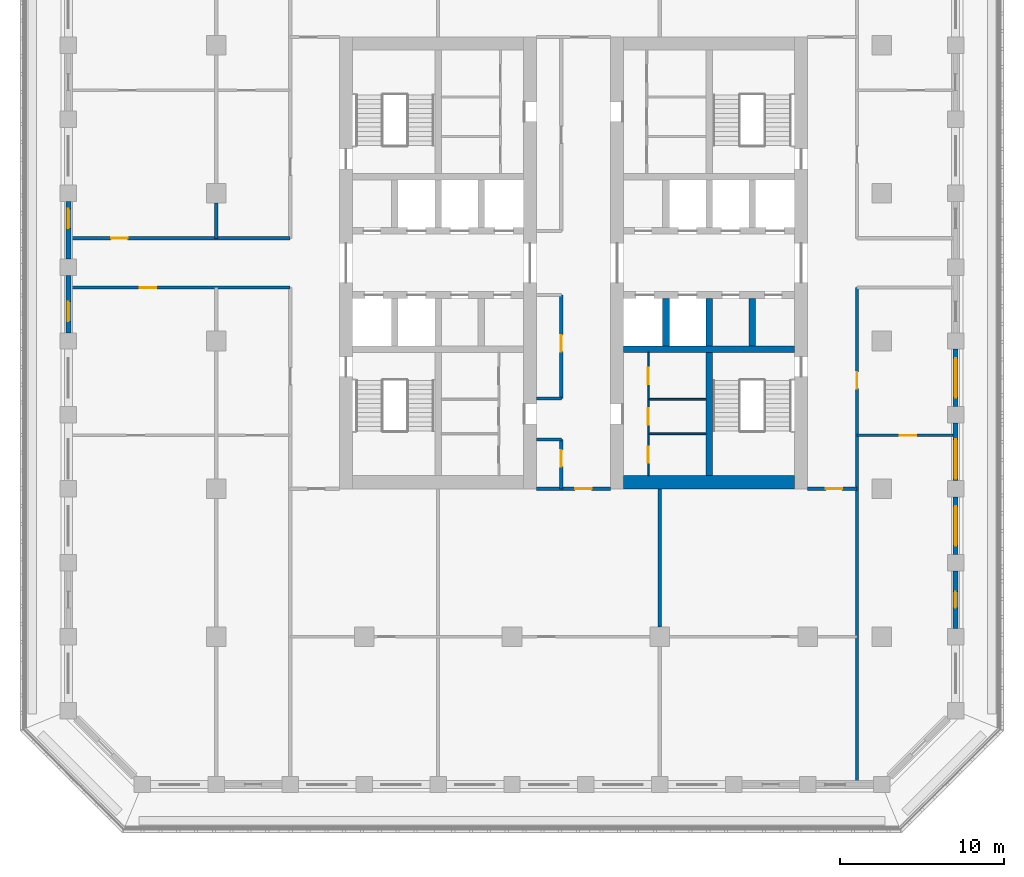
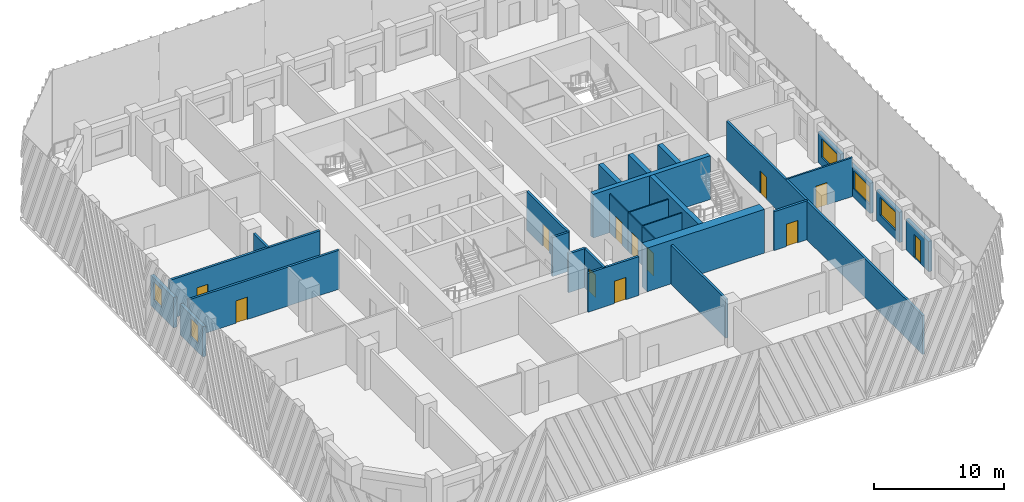
# One storey, part 4 of 16: 29 walls, 12 doors, 5 windows, 17 openings.
"""IFC4 building model written with IfcOpenShell, lengths in metres."""

import ifcopenshell
import ifcopenshell.guid

model = None  # the IFC model being written
_history = None  # IfcOwnerHistory: only IFC2X3 demands one
_inside = {}  # id of a spatial element -> (the spatial element, [elements in it])
_under = {}  # id of a project, library or spatial element -> (it, [spatial elements below it])
_declared = {}  # id of a project -> (the project, [libraries it declares])
_typed = {}  # id of a type object -> (the type object, [elements of that type])
_made_of = {}  # id of a material, layer set ... -> (it, [elements and type objects made of it])


def new_model(schema):
    """Start an empty IFC model of exactly this schema.

    Asked for "IFC4X3", IfcOpenShell would pick the latest addendum, in which some entities
    have other attributes; the version numbers below select the first issue.
    IFC2X3 requires an IfcOwnerHistory on every rooted entity: one is made here for all.
    """
    global model, _history
    if schema == "IFC4X3":
        model = ifcopenshell.file(schema_version=(4, 3, 0, 0))
    else:
        model = ifcopenshell.file(schema=schema)
    _inside.clear()
    _under.clear()
    _declared.clear()
    _typed.clear()
    _made_of.clear()
    _history = None
    if model.schema == "IFC2X3":
        org = make("IfcOrganization", Name="unknown")
        user = make(
            "IfcPersonAndOrganization",
            ThePerson=make("IfcPerson", FamilyName="unknown"),
            TheOrganization=org,
        )
        app = make(
            "IfcApplication",
            ApplicationDeveloper=org,
            Version="unknown",
            ApplicationFullName="unknown",
            ApplicationIdentifier="unknown",
        )
        _history = make(
            "IfcOwnerHistory",
            OwningUser=user,
            OwningApplication=app,
            ChangeAction="ADDED",
            CreationDate=0,
        )
    return model


def make(cls, **values):
    """One entity of the class cls with the attributes given. An attribute that is None is left unset."""
    return model.create_entity(
        cls, **{name: value for name, value in values.items() if value is not None}
    )


def rooted(cls, **values):
    """An entity with a GlobalId (a new one), such as an element, a storey or a relation."""
    return make(cls, GlobalId=ifcopenshell.guid.new(), OwnerHistory=_history, **values)


def si_unit(unit_type, name, prefix=None):
    """IfcSIUnit, for example si_unit("LENGTHUNIT", "METRE", prefix="MILLI")."""
    return make("IfcSIUnit", UnitType=unit_type, Prefix=prefix, Name=name)


def assignment(units):
    """IfcUnitAssignment: the units of a project."""
    return None if units is None else make("IfcUnitAssignment", Units=units)


def point(xyz):
    """IfcCartesianPoint."""
    return None if xyz is None else make("IfcCartesianPoint", Coordinates=xyz)


def direction(xyz):
    """IfcDirection."""
    return None if xyz is None else make("IfcDirection", DirectionRatios=xyz)


def frame(location, z_axis=None, x_axis=None):
    """IfcAxis2Placement3D, a coordinate frame: its origin and axes. An axis left out is left unset."""
    return make(
        "IfcAxis2Placement3D",
        Location=point(location),
        Axis=direction(z_axis),
        RefDirection=direction(x_axis),
    )


def frame_2d(location, x_axis=None):
    """IfcAxis2Placement2D, a coordinate frame in the plane: its origin and x axis."""
    return make(
        "IfcAxis2Placement2D", Location=point(location), RefDirection=direction(x_axis)
    )


def origin():
    """The frame at (0, 0, 0) with its axes left unset."""
    return frame((0.0, 0.0, 0.0))


def place(relative_to, where):
    """IfcLocalPlacement: puts the frame where relative to a parent placement (None: the world)."""
    return make(
        "IfcLocalPlacement", PlacementRelTo=relative_to, RelativePlacement=where
    )


def context(
    kind, dimensions, precision=None, world=None, true_north=None, identifier=None
):
    """IfcGeometricRepresentationContext, for example the 3D "Model" context."""
    return make(
        "IfcGeometricRepresentationContext",
        ContextIdentifier=identifier,
        ContextType=kind,
        CoordinateSpaceDimension=dimensions,
        Precision=precision,
        WorldCoordinateSystem=world,
        TrueNorth=true_north,
    )


def subcontext(parent, identifier, kind, view, scale=None):
    """IfcGeometricRepresentationSubContext, for example "Body" below "Model"."""
    return make(
        "IfcGeometricRepresentationSubContext",
        ContextIdentifier=identifier,
        ContextType=kind,
        ParentContext=parent,
        TargetScale=scale,
        TargetView=view,
    )


def project(units=None, contexts=None):
    """IfcProject with its units and contexts."""
    return rooted(
        "IfcProject",
        Name="project",
        RepresentationContexts=contexts,
        UnitsInContext=assignment(units),
    )


def spatial(cls, under=None, at=None, **own):
    """A site, building, storey or space (cls), placed at a placement, below another one or the project."""
    s = rooted(cls, ObjectPlacement=at, **own)
    if under is not None:
        _under.setdefault(under.id(), (under, []))[1].append(s)
    return s


def profile(cls, at=None, kind="AREA", **sizes):
    """A parametric profile (cls). Its sizes go by their IFC names, for example OverallWidth=200.0."""
    return make(cls, ProfileType=kind, Position=at, **sizes)


def rectangle(**sizes):
    """IfcRectangleProfileDef."""
    return profile("IfcRectangleProfileDef", **sizes)


def extrude(swept, where, along, depth):
    """IfcExtrudedAreaSolid: the profile swept, set in the frame where, extruded along a direction by depth."""
    return make(
        "IfcExtrudedAreaSolid",
        SweptArea=swept,
        Position=where,
        ExtrudedDirection=direction(along),
        Depth=depth,
    )


def shape(context_of_items, identifier, shape_type, items):
    """IfcShapeRepresentation: the items that make up one representation, for example the "Body"."""
    return make(
        "IfcShapeRepresentation",
        ContextOfItems=context_of_items,
        RepresentationIdentifier=identifier,
        RepresentationType=shape_type,
        Items=items,
    )


def material(Name=None, Category=None):
    """IfcMaterial."""
    return make("IfcMaterial", Name=Name, Category=Category)


def layer(
    of_material, thickness, ventilated=None, Name=None, Category=None, Priority=None
):
    """IfcMaterialLayer: one layer of a wall or slab, of a material (None: an air gap)."""
    return make(
        "IfcMaterialLayer",
        Material=of_material,
        LayerThickness=thickness,
        IsVentilated=ventilated,
        Name=Name,
        Category=Category,
        Priority=Priority,
    )


def layer_set(layers, Name=None):
    """IfcMaterialLayerSet."""
    return make("IfcMaterialLayerSet", MaterialLayers=layers, LayerSetName=Name)


def made_of(thing, what):
    """Note that an element or type object is made of a material, layer set ...; save() writes the relation."""
    if what is not None:
        _made_of.setdefault(what.id(), (what, []))[1].append(thing)
    return thing


def type_object(cls, material=None, **own):
    """A type object (cls), such as IfcWallType, which elements share."""
    return made_of(rooted(cls, **own), material)


def element(
    cls,
    number,
    at=None,
    inside=None,
    cuts=None,
    type_object=None,
    material=None,
    context=None,
    identifier="Body",
    shape_type=None,
    held_by="IfcProductDefinitionShape",
    body=None,
    shapes=None,
    **own,
):
    """One element of the class cls, such as IfcWall. Its Tag is "e" and its number.

    at: its placement. inside: the storey or other place that contains it. cuts: it is an
    opening in that element (IfcRelVoidsElement). A single representation is given by context,
    identifier, shape_type and body (its items); several are given by shapes. held_by: the class
    of the entity that holds the representations. save() writes the other relations.
    """
    e = rooted(cls, Tag="e%d" % number, ObjectPlacement=at, **own)
    if body is not None:
        shapes = [shape(context, identifier, shape_type, body)]
    if shapes is not None:
        e.Representation = make(held_by, Representations=shapes)
    if inside is not None:
        _inside.setdefault(inside.id(), (inside, []))[1].append(e)
    if cuts is not None:
        rooted(
            "IfcRelVoidsElement", RelatingBuildingElement=cuts, RelatedOpeningElement=e
        )
    if type_object is not None:
        _typed.setdefault(type_object.id(), (type_object, []))[1].append(e)
    return made_of(e, material)


def fill(opening, filler):
    """IfcRelFillsElement: the door or window that sits in an opening."""
    return rooted(
        "IfcRelFillsElement",
        RelatingOpeningElement=opening,
        RelatedBuildingElement=filler,
    )


def aggregate(whole, parts):
    """IfcRelAggregates: a whole, such as a stair, and the parts it consists of."""
    return rooted("IfcRelAggregates", RelatingObject=whole, RelatedObjects=parts)


def save(model, path):
    """Write the relations noted so far, then the file.

    IfcRelAggregates (storeys below a building ...), IfcRelContainedInSpatialStructure (elements
    in a storey), IfcRelDefinesByType, IfcRelAssociatesMaterial and IfcRelDeclares: one each for
    every whole, place, type object, material and project.
    """
    for whole, parts in _under.values():
        aggregate(whole, parts)
    for where, things in _inside.values():
        rooted(
            "IfcRelContainedInSpatialStructure",
            RelatedElements=things,
            RelatingStructure=where,
        )
    for kind, things in _typed.values():
        rooted("IfcRelDefinesByType", RelatedObjects=things, RelatingType=kind)
    for what, things in _made_of.values():
        rooted("IfcRelAssociatesMaterial", RelatedObjects=things, RelatingMaterial=what)
    for by, libraries in _declared.values():
        rooted("IfcRelDeclares", RelatingContext=by, RelatedDefinitions=libraries)
    model.write(path)


model = new_model("IFC4")

# Units and contexts
model_context = context("Model", 3, precision=1e-05, world=origin(), true_north=direction((0.0, 1.0)))
body_context = subcontext(model_context, "Body", "Model", "MODEL_VIEW")
ifc_project = project(units=[si_unit("LENGTHUNIT", "METRE"), si_unit("AREAUNIT", "SQUARE_METRE"), si_unit("VOLUMEUNIT", "CUBIC_METRE"), si_unit("PLANEANGLEUNIT", "RADIAN"), si_unit("MASSUNIT", "GRAM", prefix="KILO")], contexts=[model_context])

# Site, building, storey
site_placement = place(None, origin())
site = spatial("IfcSite", under=ifc_project, at=site_placement, CompositionType="ELEMENT")
building_placement = place(site_placement, origin())
building = spatial("IfcBuilding", under=site, at=building_placement, Name="Corbel Stack Research Tower", CompositionType="ELEMENT")
storey_placement = place(building_placement, frame((0.0, 0.0, 173.199951171875)))
storey = spatial("IfcBuildingStorey", under=building, at=storey_placement, Name="L39", CompositionType="ELEMENT", Elevation=173.199951171875)

# Walls
ifc_material_1 = material(Name="Concrete C60/75", Category="concrete")
ifc_layer_1 = layer(ifc_material_1, 0.39990234375)
ifc_layer_set_1 = layer_set([ifc_layer_1], Name="Concrete C60/75")
wall_type_1 = type_object("IfcWallType", Name="CW-400-60", PredefinedType="SHEAR", material=ifc_layer_set_1)
wall_1_placement = place(storey_placement, frame((6.800048828125, -0.5, 0.0), z_axis=(0.0, 0.0, 1.0), x_axis=(1.0, 0.0, 0.0)))
element("IfcWall", 1, at=wall_1_placement, inside=storey, type_object=wall_type_1, Name="East core wall, south row back L39", PredefinedType="SHEAR", context=body_context, shape_type="SweptSolid", body=[
    extrude(rectangle(XDim=10.39990234375, YDim=0.39990234375, at=frame_2d((5.199951171875, 0.0))), origin(), (0.0, 0.0, 1.0), 4.10009765625),
])
for number, where, z_axis, x_axis, name in (
    (2, (9.375, -0.300048828125, 0.0), (0.0, 0.0, 1.0), (0.0, 1.0, 0.0), "East core wall, south shaft 1 L39"),
    (3, (12.0, -0.300048828125, 0.0), (0.0, 0.0, 1.0), (0.0, 1.0, 0.0), "East core wall, south shaft 2 L39"),
    (4, (14.625, -0.300048828125, 0.0), (0.0, 0.0, 1.0), (0.0, 1.0, 0.0), "East core wall, south shaft 3 L39"),
):
    element("IfcWall", number, at=place(storey_placement, frame(where, z_axis=z_axis, x_axis=x_axis)), inside=storey, type_object=wall_type_1, Name=name, PredefinedType="SHEAR", context=body_context, shape_type="SweptSolid", body=[
        extrude(rectangle(XDim=2.900146484375, YDim=0.39990234375, at=frame_2d((1.4501953125, 0.0))), origin(), (0.0, 0.0, 1.0), 4.10009765625),
    ])
wall_2_placement = place(storey_placement, frame((12.0, -8.199951171875, 0.0), z_axis=(0.0, 0.0, 1.0), x_axis=(0.0, 1.0, 0.0)))
element("IfcWall", 5, at=wall_2_placement, inside=storey, type_object=wall_type_1, Name="East core wall, south stair and WC L39", PredefinedType="SHEAR", context=body_context, shape_type="SweptSolid", body=[
    extrude(rectangle(XDim=7.5, YDim=0.39990234375, at=frame_2d((3.75, 0.0))), origin(), (0.0, 0.0, 1.0), 4.10009765625),
])
ifc_material_2 = material(Name="Concrete C60/75", Category="concrete")
ifc_layer_2 = layer(ifc_material_2, 0.800048828125)
ifc_layer_set_2 = layer_set([ifc_layer_2], Name="Concrete C60/75")
wall_type_2 = type_object("IfcWallType", Name="CW-800-60", PredefinedType="SHEAR", material=ifc_layer_set_2)
wall_3_placement = place(storey_placement, frame((6.800048828125, -8.60009765625, 0.0), z_axis=(0.0, 0.0, 1.0), x_axis=(1.0, 0.0, 0.0)))
element("IfcWall", 6, at=wall_3_placement, inside=storey, type_object=wall_type_2, Name="East core wall, south end L39", PredefinedType="SHEAR", context=body_context, shape_type="SweptSolid", body=[
    extrude(rectangle(XDim=10.39990234375, YDim=0.800048828125, at=frame_2d((5.199951171875, 0.0))), origin(), (0.0, 0.0, 1.0), 4.10009765625),
])

# Wall, opening, door
ifc_material_3 = material(Name="Gypsum board")
ifc_layer_3 = layer(ifc_material_3, 0.10009765625)
ifc_layer_set_3 = layer_set([ifc_layer_3], Name="Gypsum board")
wall_type_3 = type_object("IfcWallType", Name="Core partition 100", PredefinedType="PARTITIONING", material=ifc_layer_set_3)
wall_4_placement = place(storey_placement, frame((8.300048828125, -8.199951171875, 0.0), z_axis=(0.0, 0.0, 1.0), x_axis=(0.0, 1.0, 0.0)))
wall_4 = element("IfcWall", 7, at=wall_4_placement, inside=storey, type_object=wall_type_3, Name="Core partition E", PredefinedType="PARTITIONING", context=body_context, shape_type="SweptSolid", body=[
    extrude(rectangle(XDim=2.550048828125, YDim=0.10009765625, at=frame_2d((1.27490234375, 0.0))), origin(), (0.0, 0.0, 1.0), 3.650146484375),
])
opening_1_placement = place(wall_4_placement, frame((0.77490234375, 0.0, 0.0)))
opening_1 = element("IfcOpeningElement", 8, at=opening_1_placement, cuts=wall_4, Name="Opening CR-E12-W2-1000", PredefinedType="OPENING", context=body_context, shape_type="SweptSolid", body=[
    extrude(rectangle(XDim=1.0, YDim=2.10009765625, at=frame_2d((0.5, 1.050048828125))), frame((0.0, 0.06005859375, 0.0), z_axis=(0.0, -1.0, 0.0), x_axis=(1.0, 0.0, 0.0)), (0.0, 0.0, 1.0), 0.1201171875),
])
ifc_material_4 = material(Name="Painted timber door", Category="wood")
door_type_1 = type_object("IfcDoorType", Name="WC door 1000 x 2100 left hand", OperationType="SINGLE_SWING_LEFT", PredefinedType="DOOR", material=ifc_material_4)
door_1_placement = place(opening_1_placement, origin())
door_1 = element("IfcDoor", 9, at=door_1_placement, inside=storey, type_object=door_type_1, Name="Men's WC door E core", OperationType="SINGLE_SWING_LEFT", OverallHeight=2.10009765625, OverallWidth=1.0, PredefinedType="DOOR", context=body_context, shape_type="SweptSolid", body=[
    extrude(rectangle(XDim=1.0, YDim=2.10009765625, at=frame_2d((0.5, 1.050048828125))), frame((0.0, 0.02490234375, 0.0), z_axis=(0.0, -1.0, 0.0), x_axis=(1.0, 0.0, 0.0)), (0.0, 0.0, 1.0), 0.050048828125),
])
fill(opening_1, door_1)

wall_5_placement = place(storey_placement, frame((8.300048828125, -5.64990234375, 0.0), z_axis=(0.0, 0.0, 1.0), x_axis=(0.0, 1.0, 0.0)))
wall_5 = element("IfcWall", 10, at=wall_5_placement, inside=storey, type_object=wall_type_3, Name="Core partition E", PredefinedType="PARTITIONING", context=body_context, shape_type="SweptSolid", body=[
    extrude(rectangle(XDim=2.099853515625, YDim=0.10009765625, at=frame_2d((1.0498046875, 0.0))), origin(), (0.0, 0.0, 1.0), 3.650146484375),
])
opening_2_placement = place(wall_5_placement, frame((0.550048828125, 0.0, 0.0)))
opening_2 = element("IfcOpeningElement", 11, at=opening_2_placement, cuts=wall_5, Name="Opening CR-E12-W3-1000", PredefinedType="OPENING", context=body_context, shape_type="SweptSolid", body=[
    extrude(rectangle(XDim=1.0, YDim=2.10009765625, at=frame_2d((0.5, 1.050048828125))), frame((0.0, 0.06005859375, 0.0), z_axis=(0.0, -1.0, 0.0), x_axis=(1.0, 0.0, 0.0)), (0.0, 0.0, 1.0), 0.1201171875),
])
ifc_material_5 = material(Name="Painted timber door", Category="wood")
door_type_2 = type_object("IfcDoorType", Name="WC door 1000 x 2100 right hand", OperationType="SINGLE_SWING_RIGHT", PredefinedType="DOOR", material=ifc_material_5)
door_2_placement = place(opening_2_placement, origin())
door_2 = element("IfcDoor", 12, at=door_2_placement, inside=storey, type_object=door_type_2, Name="Accessible WC door E core", OperationType="SINGLE_SWING_RIGHT", OverallHeight=2.10009765625, OverallWidth=1.0, PredefinedType="DOOR", context=body_context, shape_type="SweptSolid", body=[
    extrude(rectangle(XDim=1.0, YDim=2.10009765625, at=frame_2d((0.5, 1.050048828125))), frame((0.0, 0.02490234375, 0.0), z_axis=(0.0, -1.0, 0.0), x_axis=(1.0, 0.0, 0.0)), (0.0, 0.0, 1.0), 0.050048828125),
])
fill(opening_2, door_2)

wall_6_placement = place(storey_placement, frame((8.300048828125, -3.550048828125, 0.0), z_axis=(0.0, 0.0, 1.0), x_axis=(0.0, 1.0, 0.0)))
wall_6 = element("IfcWall", 13, at=wall_6_placement, inside=storey, type_object=wall_type_3, Name="Core partition E", PredefinedType="PARTITIONING", context=body_context, shape_type="SweptSolid", body=[
    extrude(rectangle(XDim=2.85009765625, YDim=0.10009765625, at=frame_2d((1.425048828125, 0.0))), origin(), (0.0, 0.0, 1.0), 3.650146484375),
])
opening_3_placement = place(wall_6_placement, frame((0.925048828125, 0.0, 0.0)))
opening_3 = element("IfcOpeningElement", 14, at=opening_3_placement, cuts=wall_6, Name="Opening CR-E12-W4-1000", PredefinedType="OPENING", context=body_context, shape_type="SweptSolid", body=[
    extrude(rectangle(XDim=1.0, YDim=2.10009765625, at=frame_2d((0.5, 1.050048828125))), frame((0.0, 0.06005859375, 0.0), z_axis=(0.0, -1.0, 0.0), x_axis=(1.0, 0.0, 0.0)), (0.0, 0.0, 1.0), 0.1201171875),
])
door_3_placement = place(opening_3_placement, origin())
door_3 = element("IfcDoor", 15, at=door_3_placement, inside=storey, type_object=door_type_1, Name="Women's WC door E core", OperationType="SINGLE_SWING_LEFT", OverallHeight=2.10009765625, OverallWidth=1.0, PredefinedType="DOOR", context=body_context, shape_type="SweptSolid", body=[
    extrude(rectangle(XDim=1.0, YDim=2.10009765625, at=frame_2d((0.5, 1.050048828125))), frame((0.0, 0.02490234375, 0.0), z_axis=(0.0, -1.0, 0.0), x_axis=(1.0, 0.0, 0.0)), (0.0, 0.0, 1.0), 0.050048828125),
])
fill(opening_3, door_3)

# Walls
for number, where, z_axis, x_axis, name in (
    (16, (8.300048828125, -5.64990234375, 0.0), (0.0, 0.0, 1.0), (1.0, 0.0, 0.0), "Core partition E"),
    (17, (8.300048828125, -3.550048828125, 0.0), (0.0, 0.0, 1.0), (1.0, 0.0, 0.0), "Core partition E"),
):
    element("IfcWall", number, at=place(storey_placement, frame(where, z_axis=z_axis, x_axis=x_axis)), inside=storey, type_object=wall_type_3, Name=name, PredefinedType="PARTITIONING", context=body_context, shape_type="SweptSolid", body=[
        extrude(rectangle(XDim=3.5, YDim=0.10009765625, at=frame_2d((1.75, 0.0))), origin(), (0.0, 0.0, 1.0), 3.650146484375),
    ])
ifc_material_6 = material(Name="Fire-rated gypsum board partition on steel studs", Category="steel")
ifc_layer_4 = layer(ifc_material_6, 0.199951171875)
ifc_layer_set_4 = layer_set([ifc_layer_4], Name="Fire-rated gypsum board partition on steel studs")
wall_type_4 = type_object("IfcWallType", Name="Fire-rated partition 200 EI 60", PredefinedType="PARTITIONING", material=ifc_layer_set_4)
wall_7_placement = place(storey_placement, frame((-18.0, 6.25, 0.0), z_axis=(0.0, 0.0, 1.0), x_axis=(0.0, 1.0, 0.0)))
element("IfcWall", 18, at=wall_7_placement, inside=storey, type_object=wall_type_4, Name="Partition L39-005", PredefinedType="PARTITIONING", context=body_context, shape_type="SweptSolid", body=[
    extrude(rectangle(XDim=2.14990234375, YDim=0.199951171875, at=frame_2d((1.074951171875, 0.0))), origin(), (0.0, 0.0, 1.0), 3.650146484375),
])

# Wall, opening, door
wall_8_placement = place(storey_placement, frame((3.0, -9.0, 0.0), z_axis=(0.0, 0.0, 1.0), x_axis=(0.0, 1.0, 0.0)))
wall_8 = element("IfcWall", 19, at=wall_8_placement, inside=storey, type_object=wall_type_4, Name="Partition L39-013", PredefinedType="PARTITIONING", context=body_context, shape_type="SweptSolid", body=[
    extrude(rectangle(XDim=3.0, YDim=0.199951171875, at=frame_2d((1.5, 0.0))), origin(), (0.0, 0.0, 1.0), 3.650146484375),
])
opening_4_placement = place(wall_8_placement, frame((1.35009765625, 0.0, 0.0)))
opening_4 = element("IfcOpeningElement", 20, at=opening_4_placement, cuts=wall_8, Name="Opening B5V1-012", PredefinedType="OPENING", context=body_context, shape_type="SweptSolid", body=[
    extrude(rectangle(XDim=1.0, YDim=2.10009765625, at=frame_2d((0.5, 1.050048828125))), frame((0.0, 0.10986328125, 0.0), z_axis=(0.0, -1.0, 0.0), x_axis=(1.0, 0.0, 0.0)), (0.0, 0.0, 1.0), 0.219970703125),
])
ifc_material_7 = material(Name="Painted steel fire door", Category="steel")
door_type_3 = type_object("IfcDoorType", Name="Fire door FD30S 1000 x 2100", OperationType="NOTDEFINED", PredefinedType="DOOR", material=ifc_material_7)
door_4_placement = place(opening_4_placement, origin())
door_4 = element("IfcDoor", 21, at=door_4_placement, inside=storey, type_object=door_type_3, Name="Door B5V1-012", OperationType="SINGLE_SWING_RIGHT", OverallHeight=2.10009765625, OverallWidth=1.0, PredefinedType="DOOR", context=body_context, shape_type="SweptSolid", body=[
    extrude(rectangle(XDim=1.0, YDim=2.10009765625, at=frame_2d((0.5, 1.050048828125))), frame((0.0, 0.02490234375, 0.0), z_axis=(0.0, -1.0, 0.0), x_axis=(1.0, 0.0, 0.0)), (0.0, 0.0, 1.0), 0.050048828125),
])
fill(opening_4, door_4)

wall_9_placement = place(storey_placement, frame((3.0, -3.5, 0.0), z_axis=(0.0, 0.0, 1.0), x_axis=(0.0, 1.0, 0.0)))
wall_9 = element("IfcWall", 22, at=wall_9_placement, inside=storey, type_object=wall_type_4, Name="Partition L39-014", PredefinedType="PARTITIONING", context=body_context, shape_type="SweptSolid", body=[
    extrude(rectangle(XDim=6.300048828125, YDim=0.199951171875, at=frame_2d((3.14990234375, 0.0))), origin(), (0.0, 0.0, 1.0), 3.650146484375),
])
opening_5_placement = place(wall_9_placement, frame((2.85009765625, 0.0, 0.0)))
opening_5 = element("IfcOpeningElement", 23, at=opening_5_placement, cuts=wall_9, Name="Opening B5V1-013", PredefinedType="OPENING", context=body_context, shape_type="SweptSolid", body=[
    extrude(rectangle(XDim=1.0, YDim=2.10009765625, at=frame_2d((0.5, 1.050048828125))), frame((0.0, 0.10986328125, 0.0), z_axis=(0.0, -1.0, 0.0), x_axis=(1.0, 0.0, 0.0)), (0.0, 0.0, 1.0), 0.219970703125),
])
door_5_placement = place(opening_5_placement, origin())
door_5 = element("IfcDoor", 24, at=door_5_placement, inside=storey, type_object=door_type_3, Name="Door B5V1-013", OperationType="SINGLE_SWING_RIGHT", OverallHeight=2.10009765625, OverallWidth=1.0, PredefinedType="DOOR", context=body_context, shape_type="SweptSolid", body=[
    extrude(rectangle(XDim=1.0, YDim=2.10009765625, at=frame_2d((0.5, 1.050048828125))), frame((0.0, 0.02490234375, 0.0), z_axis=(0.0, -1.0, 0.0), x_axis=(1.0, 0.0, 0.0)), (0.0, 0.0, 1.0), 0.050048828125),
])
fill(opening_5, door_5)

# Wall
wall_10_placement = place(storey_placement, frame((9.0, -17.39990234375, 0.0), z_axis=(0.0, 0.0, 1.0), x_axis=(0.0, 1.0, 0.0)))
element("IfcWall", 25, at=wall_10_placement, inside=storey, type_object=wall_type_4, Name="Partition L39-017", PredefinedType="PARTITIONING", context=body_context, shape_type="SweptSolid", body=[
    extrude(rectangle(XDim=8.39990234375, YDim=0.199951171875, at=frame_2d((4.199951171875, 0.0))), origin(), (0.0, 0.0, 1.0), 3.650146484375),
])

# Wall, opening, door
wall_11_placement = place(storey_placement, frame((21.0, 3.25, 0.0), z_axis=(0.0, 0.0, 1.0), x_axis=(0.0, -1.0, 0.0)))
wall_11 = element("IfcWall", 26, at=wall_11_placement, inside=storey, type_object=wall_type_4, Name="Partition L39-020", PredefinedType="PARTITIONING", context=body_context, shape_type="SweptSolid", body=[
    extrude(rectangle(XDim=30.10009765625, YDim=0.199951171875, at=frame_2d((15.050048828125, 0.0))), origin(), (0.0, 0.0, 1.0), 3.650146484375),
])
opening_6_placement = place(wall_11_placement, frame((5.14990234375, 0.0, 0.0)))
opening_6 = element("IfcOpeningElement", 27, at=opening_6_placement, cuts=wall_11, Name="Opening B5V1-023", PredefinedType="OPENING", context=body_context, shape_type="SweptSolid", body=[
    extrude(rectangle(XDim=1.0, YDim=2.10009765625, at=frame_2d((0.5, 1.050048828125))), frame((0.0, 0.10986328125, 0.0), z_axis=(0.0, -1.0, 0.0), x_axis=(1.0, 0.0, 0.0)), (0.0, 0.0, 1.0), 0.219970703125),
])
door_6_placement = place(opening_6_placement, origin())
door_6 = element("IfcDoor", 28, at=door_6_placement, inside=storey, type_object=door_type_3, Name="Door B5V1-023", OperationType="SINGLE_SWING_LEFT", OverallHeight=2.10009765625, OverallWidth=1.0, PredefinedType="DOOR", context=body_context, shape_type="SweptSolid", body=[
    extrude(rectangle(XDim=1.0, YDim=2.10009765625, at=frame_2d((0.5, 1.050048828125))), frame((0.0, 0.02490234375, 0.0), z_axis=(0.0, -1.0, 0.0), x_axis=(1.0, 0.0, 0.0)), (0.0, 0.0, 1.0), 0.050048828125),
])
fill(opening_6, door_6)

wall_12_placement = place(storey_placement, frame((6.0, -9.0, 0.0), z_axis=(0.0, 0.0, 1.0), x_axis=(-1.0, 0.0, 0.0)))
wall_12 = element("IfcWall", 29, at=wall_12_placement, inside=storey, type_object=wall_type_4, Name="Partition L39-028", PredefinedType="PARTITIONING", context=body_context, shape_type="SweptSolid", body=[
    extrude(rectangle(XDim=4.5, YDim=0.199951171875, at=frame_2d((2.25, 0.0))), origin(), (0.0, 0.0, 1.0), 3.650146484375),
])
opening_7_placement = place(wall_12_placement, frame((1.14990234375, 0.0, 0.0)))
opening_7 = element("IfcOpeningElement", 30, at=opening_7_placement, cuts=wall_12, Name="Opening B5V1-007", PredefinedType="OPENING", context=body_context, shape_type="SweptSolid", body=[
    extrude(rectangle(XDim=1.0, YDim=2.10009765625, at=frame_2d((0.5, 1.050048828125))), frame((0.0, 0.10986328125, 0.0), z_axis=(0.0, -1.0, 0.0), x_axis=(1.0, 0.0, 0.0)), (0.0, 0.0, 1.0), 0.219970703125),
])
door_7_placement = place(opening_7_placement, origin())
door_7 = element("IfcDoor", 31, at=door_7_placement, inside=storey, type_object=door_type_3, Name="Door B5V1-007", OperationType="SINGLE_SWING_LEFT", OverallHeight=2.10009765625, OverallWidth=1.0, PredefinedType="DOOR", context=body_context, shape_type="SweptSolid", body=[
    extrude(rectangle(XDim=1.0, YDim=2.10009765625, at=frame_2d((0.5, 1.050048828125))), frame((0.0, 0.02490234375, 0.0), z_axis=(0.0, -1.0, 0.0), x_axis=(1.0, 0.0, 0.0)), (0.0, 0.0, 1.0), 0.050048828125),
])
fill(opening_7, door_7)

wall_13_placement = place(storey_placement, frame((21.0, -9.0, 0.0), z_axis=(0.0, 0.0, 1.0), x_axis=(-1.0, 0.0, 0.0)))
wall_13 = element("IfcWall", 32, at=wall_13_placement, inside=storey, type_object=wall_type_4, Name="Partition L39-029", PredefinedType="PARTITIONING", context=body_context, shape_type="SweptSolid", body=[
    extrude(rectangle(XDim=3.0, YDim=0.199951171875, at=frame_2d((1.5, 0.0))), origin(), (0.0, 0.0, 1.0), 3.650146484375),
])
opening_8_placement = place(wall_13_placement, frame((0.89990234375, 0.0, 0.0)))
opening_8 = element("IfcOpeningElement", 33, at=opening_8_placement, cuts=wall_13, Name="Opening B5V1-008", PredefinedType="OPENING", context=body_context, shape_type="SweptSolid", body=[
    extrude(rectangle(XDim=1.0, YDim=2.10009765625, at=frame_2d((0.5, 1.050048828125))), frame((0.0, 0.10986328125, 0.0), z_axis=(0.0, -1.0, 0.0), x_axis=(1.0, 0.0, 0.0)), (0.0, 0.0, 1.0), 0.219970703125),
])
door_8_placement = place(opening_8_placement, origin())
door_8 = element("IfcDoor", 34, at=door_8_placement, inside=storey, type_object=door_type_3, Name="Door B5V1-008", OperationType="SINGLE_SWING_LEFT", OverallHeight=2.10009765625, OverallWidth=1.0, PredefinedType="DOOR", context=body_context, shape_type="SweptSolid", body=[
    extrude(rectangle(XDim=1.0, YDim=2.10009765625, at=frame_2d((0.5, 1.050048828125))), frame((0.0, 0.02490234375, 0.0), z_axis=(0.0, -1.0, 0.0), x_axis=(1.0, 0.0, 0.0)), (0.0, 0.0, 1.0), 0.050048828125),
])
fill(opening_8, door_8)

# Walls
for number, where, z_axis, x_axis, name in (
    (35, (1.5, -6.0, 0.0), (0.0, 0.0, 1.0), (1.0, 0.0, 0.0), "Partition L39-030"),
    (36, (1.5, -3.5, 0.0), (0.0, 0.0, 1.0), (1.0, 0.0, 0.0), "Partition L39-033"),
):
    element("IfcWall", number, at=place(storey_placement, frame(where, z_axis=z_axis, x_axis=x_axis)), inside=storey, type_object=wall_type_4, Name=name, PredefinedType="PARTITIONING", context=body_context, shape_type="SweptSolid", body=[
        extrude(rectangle(XDim=1.5, YDim=0.199951171875, at=frame_2d((0.75, 0.0))), origin(), (0.0, 0.0, 1.0), 3.650146484375),
    ])

# Wall, opening, door
wall_14_placement = place(storey_placement, frame((-13.5, 3.25, 0.0), z_axis=(0.0, 0.0, 1.0), x_axis=(-1.0, 0.0, 0.0)))
wall_14 = element("IfcWall", 37, at=wall_14_placement, inside=storey, type_object=wall_type_4, Name="Partition L39-035", PredefinedType="PARTITIONING", context=body_context, shape_type="SweptSolid", body=[
    extrude(rectangle(XDim=13.35009765625, YDim=0.199951171875, at=frame_2d((6.675048828125, 0.0))), origin(), (0.0, 0.0, 1.0), 3.650146484375),
])
opening_9_placement = place(wall_14_placement, frame((8.14990234375, 0.0, 0.0)))
opening_9 = element("IfcOpeningElement", 38, at=opening_9_placement, cuts=wall_14, Name="Opening B5V1-015", PredefinedType="OPENING", context=body_context, shape_type="SweptSolid", body=[
    extrude(rectangle(XDim=1.0, YDim=2.10009765625, at=frame_2d((0.5, 1.050048828125))), frame((0.0, 0.10986328125, 0.0), z_axis=(0.0, -1.0, 0.0), x_axis=(1.0, 0.0, 0.0)), (0.0, 0.0, 1.0), 0.219970703125),
])
door_9_placement = place(opening_9_placement, origin())
door_9 = element("IfcDoor", 39, at=door_9_placement, inside=storey, type_object=door_type_3, Name="Door B5V1-015", OperationType="SINGLE_SWING_RIGHT", OverallHeight=2.10009765625, OverallWidth=1.0, PredefinedType="DOOR", context=body_context, shape_type="SweptSolid", body=[
    extrude(rectangle(XDim=1.0, YDim=2.10009765625, at=frame_2d((0.5, 1.050048828125))), frame((0.0, 0.02490234375, 0.0), z_axis=(0.0, -1.0, 0.0), x_axis=(1.0, 0.0, 0.0)), (0.0, 0.0, 1.0), 0.050048828125),
])
fill(opening_9, door_9)

wall_15_placement = place(storey_placement, frame((-26.85009765625, 6.25, 0.0), z_axis=(0.0, 0.0, 1.0), x_axis=(1.0, 0.0, 0.0)))
wall_15 = element("IfcWall", 40, at=wall_15_placement, inside=storey, type_object=wall_type_4, Name="Partition L39-037", PredefinedType="PARTITIONING", context=body_context, shape_type="SweptSolid", body=[
    extrude(rectangle(XDim=13.35009765625, YDim=0.199951171875, at=frame_2d((6.675048828125, 0.0))), origin(), (0.0, 0.0, 1.0), 3.650146484375),
])
opening_10_placement = place(wall_15_placement, frame((2.449951171875, 0.0, 0.0)))
opening_10 = element("IfcOpeningElement", 41, at=opening_10_placement, cuts=wall_15, Name="Opening B5V1-016", PredefinedType="OPENING", context=body_context, shape_type="SweptSolid", body=[
    extrude(rectangle(XDim=1.0, YDim=2.10009765625, at=frame_2d((0.5, 1.050048828125))), frame((0.0, 0.10986328125, 0.0), z_axis=(0.0, -1.0, 0.0), x_axis=(1.0, 0.0, 0.0)), (0.0, 0.0, 1.0), 0.219970703125),
])
door_10_placement = place(opening_10_placement, origin())
door_10 = element("IfcDoor", 42, at=door_10_placement, inside=storey, type_object=door_type_3, Name="Door B5V1-016", OperationType="SINGLE_SWING_LEFT", OverallHeight=2.10009765625, OverallWidth=1.0, PredefinedType="DOOR", context=body_context, shape_type="SweptSolid", body=[
    extrude(rectangle(XDim=1.0, YDim=2.10009765625, at=frame_2d((0.5, 1.050048828125))), frame((0.0, 0.02490234375, 0.0), z_axis=(0.0, -1.0, 0.0), x_axis=(1.0, 0.0, 0.0)), (0.0, 0.0, 1.0), 0.050048828125),
])
fill(opening_10, door_10)

ifc_material_8 = material(Name="Gypsum board partition on steel studs", Category="steel")
ifc_layer_5 = layer(ifc_material_8, 0.14990234375)
ifc_layer_set_5 = layer_set([ifc_layer_5], Name="Gypsum board partition on steel studs")
wall_type_5 = type_object("IfcWallType", Name="Partition 150", PredefinedType="PARTITIONING", material=ifc_layer_set_5)
wall_16_placement = place(storey_placement, frame((26.85009765625, -5.75, 0.0), z_axis=(0.0, 0.0, 1.0), x_axis=(-1.0, 0.0, 0.0)))
wall_16 = element("IfcWall", 43, at=wall_16_placement, inside=storey, type_object=wall_type_5, Name="Partition L39-032", PredefinedType="PARTITIONING", context=body_context, shape_type="SweptSolid", body=[
    extrude(rectangle(XDim=5.85009765625, YDim=0.14990234375, at=frame_2d((2.925048828125, 0.0))), origin(), (0.0, 0.0, 1.0), 3.650146484375),
])
opening_11_placement = place(wall_16_placement, frame((2.25, 0.0, 0.0)))
opening_11 = element("IfcOpeningElement", 44, at=opening_11_placement, cuts=wall_16, Name="Opening B5V1-011", PredefinedType="OPENING", context=body_context, shape_type="SweptSolid", body=[
    extrude(rectangle(XDim=1.0, YDim=2.10009765625, at=frame_2d((0.5, 1.050048828125))), frame((0.0, 0.0849609375, 0.0), z_axis=(0.0, -1.0, 0.0), x_axis=(1.0, 0.0, 0.0)), (0.0, 0.0, 1.0), 0.169921875),
])
ifc_material_9 = material(Name="Painted timber door", Category="wood")
door_type_4 = type_object("IfcDoorType", Name="Single door 1000 x 2100", OperationType="NOTDEFINED", PredefinedType="DOOR", material=ifc_material_9)
door_11_placement = place(opening_11_placement, origin())
door_11 = element("IfcDoor", 45, at=door_11_placement, inside=storey, type_object=door_type_4, Name="Door B5V1-011", OperationType="SINGLE_SWING_LEFT", OverallHeight=2.10009765625, OverallWidth=1.0, PredefinedType="DOOR", context=body_context, shape_type="SweptSolid", body=[
    extrude(rectangle(XDim=1.0, YDim=2.10009765625, at=frame_2d((0.5, 1.050048828125))), frame((0.0, 0.02490234375, 0.0), z_axis=(0.0, -1.0, 0.0), x_axis=(1.0, 0.0, 0.0)), (0.0, 0.0, 1.0), 0.050048828125),
])
fill(opening_11, door_11)

ifc_material_10 = material(Name="Concrete C45/55", Category="concrete")
ifc_layer_6 = layer(ifc_material_10, 0.300048828125)
ifc_layer_set_6 = layer_set([ifc_layer_6], Name="Concrete C45/55")
wall_type_6 = type_object("IfcWallType", Name="Terracotta-faced concrete wall 300", PredefinedType="SOLIDWALL", material=ifc_layer_set_6)
wall_17_placement = place(storey_placement, frame((27.0, -14.0, 0.0), z_axis=(0.0, 0.0, 1.0), x_axis=(0.0, -1.0, 0.0)))
wall_17 = element("IfcWall", 46, at=wall_17_placement, inside=storey, type_object=wall_type_6, Name="Facade wall L39 E02", PredefinedType="SOLIDWALL", context=body_context, shape_type="SweptSolid", body=[
    extrude(rectangle(XDim=3.5, YDim=0.300048828125, at=frame_2d((1.75, 0.0))), origin(), (0.0, 0.0, 1.0), 2.85009765625),
])
opening_12_placement = place(wall_17_placement, frame((1.25, 0.0, 0.0)))
opening_12 = element("IfcOpeningElement", 47, at=opening_12_placement, cuts=wall_17, Name="Opening L39-B04", PredefinedType="OPENING", context=body_context, shape_type="SweptSolid", body=[
    extrude(rectangle(XDim=1.0, YDim=2.199951171875, at=frame_2d((0.5, 1.10009765625))), frame((0.0, 0.159912109375, 0.0), z_axis=(0.0, -1.0, 0.0), x_axis=(1.0, 0.0, 0.0)), (0.0, 0.0, 1.0), 0.320068359375),
])
ifc_material_11 = material(Name="Aluminium frame, clear double glazing", Category="aluminium")
door_type_5 = type_object("IfcDoorType", Name="Balcony door BD1 1000 x 2200", OperationType="NOTDEFINED", PredefinedType="DOOR", material=ifc_material_11)
door_12_placement = place(opening_12_placement, origin())
door_12 = element("IfcDoor", 48, at=door_12_placement, inside=storey, type_object=door_type_5, Name="Balcony door L39-B04", OperationType="SINGLE_SWING_LEFT", OverallHeight=2.199951171875, OverallWidth=1.0, PredefinedType="DOOR", context=body_context, shape_type="SweptSolid", body=[
    extrude(rectangle(XDim=1.0, YDim=2.199951171875, at=frame_2d((0.5, 1.10009765625))), frame((0.0, 0.02490234375, 0.0), z_axis=(0.0, -1.0, 0.0), x_axis=(1.0, 0.0, 0.0)), (0.0, 0.0, 1.0), 0.050048828125),
])
fill(opening_12, door_12)

# Wall, opening, window
wall_18_placement = place(storey_placement, frame((27.0, -9.5, 0.0), z_axis=(0.0, 0.0, 1.0), x_axis=(0.0, -1.0, 0.0)))
wall_18 = element("IfcWall", 49, at=wall_18_placement, inside=storey, type_object=wall_type_6, Name="Facade wall L39 E03", PredefinedType="SOLIDWALL", context=body_context, shape_type="SweptSolid", body=[
    extrude(rectangle(XDim=3.5, YDim=0.300048828125, at=frame_2d((1.75, 0.0))), origin(), (0.0, 0.0, 1.0), 2.85009765625),
])
opening_13_placement = place(wall_18_placement, frame((0.550048828125, 0.0, 0.800048828125)))
opening_13 = element("IfcOpeningElement", 50, at=opening_13_placement, cuts=wall_18, Name="Opening W1", PredefinedType="OPENING", context=body_context, shape_type="SweptSolid", body=[
    extrude(rectangle(XDim=2.39990234375, YDim=1.699951171875, at=frame_2d((1.199951171875, 0.85009765625))), frame((0.0, 0.159912109375, 0.0), z_axis=(0.0, -1.0, 0.0), x_axis=(1.0, 0.0, 0.0)), (0.0, 0.0, 1.0), 0.320068359375),
])
ifc_material_12 = material(Name="Aluminium frame, clear double glazing", Category="aluminium")
window_type_1 = type_object("IfcWindowType", Name="Window W1 2400 x 1700", PartitioningType="SINGLE_PANEL", PredefinedType="WINDOW", material=ifc_material_12)
window_1_placement = place(opening_13_placement, origin())
window_1 = element("IfcWindow", 51, at=window_1_placement, inside=storey, type_object=window_type_1, Name="Window W1 L39 E03", OverallHeight=1.699951171875, OverallWidth=2.39990234375, PartitioningType="SINGLE_PANEL", PredefinedType="WINDOW", context=body_context, shape_type="SweptSolid", body=[
    extrude(rectangle(XDim=2.39990234375, YDim=1.699951171875, at=frame_2d((1.199951171875, 0.85009765625))), frame((0.0, 0.030029296875, 0.0), z_axis=(0.0, -1.0, 0.0), x_axis=(1.0, 0.0, 0.0)), (0.0, 0.0, 1.0), 0.06005859375),
])
fill(opening_13, window_1)

wall_19_placement = place(storey_placement, frame((27.0, -5.0, 0.0), z_axis=(0.0, 0.0, 1.0), x_axis=(0.0, -1.0, 0.0)))
wall_19 = element("IfcWall", 52, at=wall_19_placement, inside=storey, type_object=wall_type_6, Name="Facade wall L39 E04", PredefinedType="SOLIDWALL", context=body_context, shape_type="SweptSolid", body=[
    extrude(rectangle(XDim=3.5, YDim=0.300048828125, at=frame_2d((1.75, 0.0))), origin(), (0.0, 0.0, 1.0), 2.85009765625),
])
opening_14_placement = place(wall_19_placement, frame((0.987548828125, 0.0, 0.800048828125)))
opening_14 = element("IfcOpeningElement", 53, at=opening_14_placement, cuts=wall_19, Name="Opening W1", PredefinedType="OPENING", context=body_context, shape_type="SweptSolid", body=[
    extrude(rectangle(XDim=2.39990234375, YDim=1.699951171875, at=frame_2d((1.199951171875, 0.85009765625))), frame((0.0, 0.159912109375, 0.0), z_axis=(0.0, -1.0, 0.0), x_axis=(1.0, 0.0, 0.0)), (0.0, 0.0, 1.0), 0.320068359375),
])
window_2_placement = place(opening_14_placement, origin())
window_2 = element("IfcWindow", 54, at=window_2_placement, inside=storey, type_object=window_type_1, Name="Window W1 L39 E04", OverallHeight=1.699951171875, OverallWidth=2.39990234375, PartitioningType="SINGLE_PANEL", PredefinedType="WINDOW", context=body_context, shape_type="SweptSolid", body=[
    extrude(rectangle(XDim=2.39990234375, YDim=1.699951171875, at=frame_2d((1.199951171875, 0.85009765625))), frame((0.0, 0.030029296875, 0.0), z_axis=(0.0, -1.0, 0.0), x_axis=(1.0, 0.0, 0.0)), (0.0, 0.0, 1.0), 0.06005859375),
])
fill(opening_14, window_2)

wall_20_placement = place(storey_placement, frame((27.0, -0.5, 0.0), z_axis=(0.0, 0.0, 1.0), x_axis=(0.0, -1.0, 0.0)))
wall_20 = element("IfcWall", 55, at=wall_20_placement, inside=storey, type_object=wall_type_6, Name="Facade wall L39 E05", PredefinedType="SOLIDWALL", context=body_context, shape_type="SweptSolid", body=[
    extrude(rectangle(XDim=3.5, YDim=0.300048828125, at=frame_2d((1.75, 0.0))), origin(), (0.0, 0.0, 1.0), 2.85009765625),
])
opening_15_placement = place(wall_20_placement, frame((0.550048828125, 0.0, 0.800048828125)))
opening_15 = element("IfcOpeningElement", 56, at=opening_15_placement, cuts=wall_20, Name="Opening W1", PredefinedType="OPENING", context=body_context, shape_type="SweptSolid", body=[
    extrude(rectangle(XDim=2.39990234375, YDim=1.699951171875, at=frame_2d((1.199951171875, 0.85009765625))), frame((0.0, 0.159912109375, 0.0), z_axis=(0.0, -1.0, 0.0), x_axis=(1.0, 0.0, 0.0)), (0.0, 0.0, 1.0), 0.320068359375),
])
window_3_placement = place(opening_15_placement, origin())
window_3 = element("IfcWindow", 57, at=window_3_placement, inside=storey, type_object=window_type_1, Name="Window W1 L39 E05", OverallHeight=1.699951171875, OverallWidth=2.39990234375, PartitioningType="SINGLE_PANEL", PredefinedType="WINDOW", context=body_context, shape_type="SweptSolid", body=[
    extrude(rectangle(XDim=2.39990234375, YDim=1.699951171875, at=frame_2d((1.199951171875, 0.85009765625))), frame((0.0, 0.030029296875, 0.0), z_axis=(0.0, -1.0, 0.0), x_axis=(1.0, 0.0, 0.0)), (0.0, 0.0, 1.0), 0.06005859375),
])
fill(opening_15, window_3)

wall_21_placement = place(storey_placement, frame((-27.0, 5.0, 0.0), z_axis=(0.0, 0.0, 1.0), x_axis=(0.0, 1.0, 0.0)))
wall_21 = element("IfcWall", 58, at=wall_21_placement, inside=storey, type_object=wall_type_6, Name="Facade wall L39 W04", PredefinedType="SOLIDWALL", context=body_context, shape_type="SweptSolid", body=[
    extrude(rectangle(XDim=3.5, YDim=0.300048828125, at=frame_2d((1.75, 0.0))), origin(), (0.0, 0.0, 1.0), 2.85009765625),
])
opening_16_placement = place(wall_21_placement, frame((1.85009765625, 0.0, 0.800048828125)))
opening_16 = element("IfcOpeningElement", 59, at=opening_16_placement, cuts=wall_21, Name="Opening W2", PredefinedType="OPENING", context=body_context, shape_type="SweptSolid", body=[
    extrude(rectangle(XDim=1.199951171875, YDim=1.699951171875, at=frame_2d((0.60009765625, 0.85009765625))), frame((0.0, 0.159912109375, 0.0), z_axis=(0.0, -1.0, 0.0), x_axis=(1.0, 0.0, 0.0)), (0.0, 0.0, 1.0), 0.320068359375),
])
ifc_material_13 = material(Name="Aluminium frame, clear double glazing", Category="aluminium")
window_type_2 = type_object("IfcWindowType", Name="Window W2 1200 x 1700", PartitioningType="SINGLE_PANEL", PredefinedType="WINDOW", material=ifc_material_13)
window_4_placement = place(opening_16_placement, origin())
window_4 = element("IfcWindow", 60, at=window_4_placement, inside=storey, type_object=window_type_2, Name="Window W2 L39 W04", OverallHeight=1.699951171875, OverallWidth=1.199951171875, PartitioningType="SINGLE_PANEL", PredefinedType="WINDOW", context=body_context, shape_type="SweptSolid", body=[
    extrude(rectangle(XDim=1.199951171875, YDim=1.699951171875, at=frame_2d((0.60009765625, 0.85009765625))), frame((0.0, 0.030029296875, 0.0), z_axis=(0.0, -1.0, 0.0), x_axis=(1.0, 0.0, 0.0)), (0.0, 0.0, 1.0), 0.06005859375),
])
fill(opening_16, window_4)

wall_22_placement = place(storey_placement, frame((-27.0, 0.5, 0.0), z_axis=(0.0, 0.0, 1.0), x_axis=(0.0, 1.0, 0.0)))
wall_22 = element("IfcWall", 61, at=wall_22_placement, inside=storey, type_object=wall_type_6, Name="Facade wall L39 W05", PredefinedType="SOLIDWALL", context=body_context, shape_type="SweptSolid", body=[
    extrude(rectangle(XDim=3.5, YDim=0.300048828125, at=frame_2d((1.75, 0.0))), origin(), (0.0, 0.0, 1.0), 2.85009765625),
])
opening_17_placement = place(wall_22_placement, frame((0.699951171875, 0.0, 0.800048828125)))
opening_17 = element("IfcOpeningElement", 62, at=opening_17_placement, cuts=wall_22, Name="Opening W2", PredefinedType="OPENING", context=body_context, shape_type="SweptSolid", body=[
    extrude(rectangle(XDim=1.199951171875, YDim=1.699951171875, at=frame_2d((0.60009765625, 0.85009765625))), frame((0.0, 0.159912109375, 0.0), z_axis=(0.0, -1.0, 0.0), x_axis=(1.0, 0.0, 0.0)), (0.0, 0.0, 1.0), 0.320068359375),
])
window_5_placement = place(opening_17_placement, origin())
window_5 = element("IfcWindow", 63, at=window_5_placement, inside=storey, type_object=window_type_2, Name="Window W2 L39 W05", OverallHeight=1.699951171875, OverallWidth=1.199951171875, PartitioningType="SINGLE_PANEL", PredefinedType="WINDOW", context=body_context, shape_type="SweptSolid", body=[
    extrude(rectangle(XDim=1.199951171875, YDim=1.699951171875, at=frame_2d((0.60009765625, 0.85009765625))), frame((0.0, 0.030029296875, 0.0), z_axis=(0.0, -1.0, 0.0), x_axis=(1.0, 0.0, 0.0)), (0.0, 0.0, 1.0), 0.06005859375),
])
fill(opening_17, window_5)

save(model, "model.ifc")
